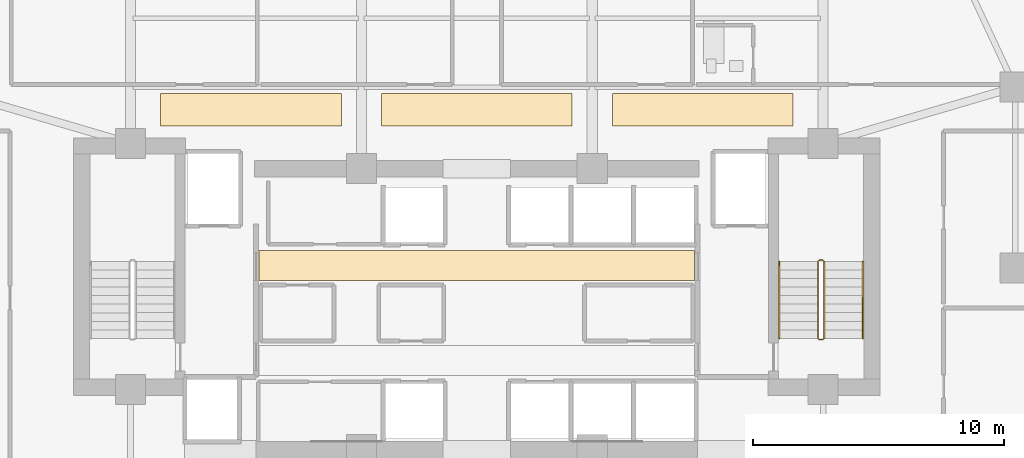
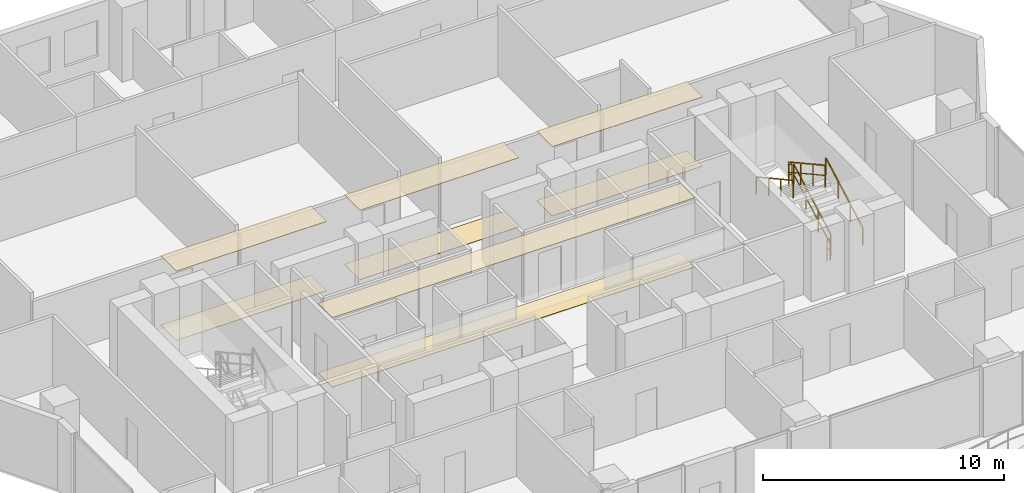
# One storey, part 30 of 32: 8 coverings, 6 railings.
"""IFC4 building model written with IfcOpenShell, lengths in metres."""

from ifc_helpers import new_model, si_unit, direction, frame, origin, origin_2d, place, context, subcontext, project, spatial, polyline, rectangle, outline, extrude, material, layer, layer_set, type_object, element, save


model = new_model("IFC4")

# Units and contexts
model_context = context("Model", 3, precision=1e-05, world=origin(), true_north=direction((0.0, 1.0)))
body_context = subcontext(model_context, "Body", "Model", "MODEL_VIEW")
ifc_project = project(units=[si_unit("LENGTHUNIT", "METRE"), si_unit("AREAUNIT", "SQUARE_METRE"), si_unit("VOLUMEUNIT", "CUBIC_METRE"), si_unit("PLANEANGLEUNIT", "RADIAN"), si_unit("MASSUNIT", "GRAM", prefix="KILO")], contexts=[model_context])

# Site, building, storey
site_placement = place(None, origin())
site = spatial("IfcSite", under=ifc_project, at=site_placement, CompositionType="ELEMENT")
building_placement = place(site_placement, origin())
building = spatial("IfcBuilding", under=site, at=building_placement, Name="Zuhayl Quay Hotel", CompositionType="ELEMENT")
storey_placement = place(building_placement, frame((0.0, 0.0, 181.14990234375)))
storey = spatial("IfcBuildingStorey", under=building, at=storey_placement, Name="L45", CompositionType="ELEMENT", Elevation=181.14990234375)

# Coverings
ifc_material_1 = material(Name="Acoustic Mineral-Fibre Gypsum Board")
ifc_layer_1 = layer(ifc_material_1, 0.02490234375, Name="Acoustic Mineral-Fibre Gypsum Board")
ifc_layer_set_1 = layer_set([ifc_layer_1], Name="Acoustic Mineral-Fibre Gypsum Board")
covering_type_1 = type_object("IfcCoveringType", Name="CV_CEIL_ACOUSTIC", PredefinedType="CEILING", material=ifc_layer_set_1)
covering_1_placement = place(storey_placement, frame((0.0, 0.0, 3.505126953125)))
element("IfcCovering", 1, at=covering_1_placement, inside=storey, type_object=covering_type_1, Name="L45 Suspended Acoustic Lobby Ceiling N", PredefinedType="CEILING", context=body_context, shape_type="SweptSolid", body=[
    extrude(outline(polyline([(-8.679931640625, 8.89990234375), (8.679931640625, 8.89990234375), (8.679931640625, 10.10009765625), (-8.679931640625, 10.10009765625), (-8.679931640625, 8.89990234375)])), origin(), (0.0, 0.0, 1.0), 0.02490234375),
])
covering_2_placement = place(storey_placement, frame((0.0, 0.0, 3.505126953125)))
element("IfcCovering", 2, at=covering_2_placement, inside=storey, type_object=covering_type_1, Name="L45 Guest Corridor Acoustic Ceiling CW", PredefinedType="CEILING", context=body_context, shape_type="SweptSolid", body=[
    extrude(outline(polyline([(-12.60009765625, 15.050048828125), (-5.39990234375, 15.050048828125), (-5.39990234375, 16.35009765625), (-12.60009765625, 16.35009765625), (-12.60009765625, 15.050048828125)])), origin(), (0.0, 0.0, 1.0), 0.02490234375),
])
covering_3_placement = place(storey_placement, frame((0.0, 0.0, 3.505126953125)))
element("IfcCovering", 3, at=covering_3_placement, inside=storey, type_object=covering_type_1, Name="L45 Guest Corridor Acoustic Ceiling CC", PredefinedType="CEILING", context=body_context, shape_type="SweptSolid", body=[
    extrude(outline(polyline([(-3.800048828125, 15.050048828125), (3.800048828125, 15.050048828125), (3.800048828125, 16.35009765625), (-3.800048828125, 16.35009765625), (-3.800048828125, 15.050048828125)])), origin(), (0.0, 0.0, 1.0), 0.02490234375),
])
covering_4_placement = place(storey_placement, frame((0.0, 0.0, 3.505126953125)))
element("IfcCovering", 4, at=covering_4_placement, inside=storey, type_object=covering_type_1, Name="L45 Guest Corridor Acoustic Ceiling CE", PredefinedType="CEILING", context=body_context, shape_type="SweptSolid", body=[
    extrude(outline(polyline([(5.39990234375, 15.050048828125), (12.60009765625, 15.050048828125), (12.60009765625, 16.35009765625), (5.39990234375, 16.35009765625), (5.39990234375, 15.050048828125)])), origin(), (0.0, 0.0, 1.0), 0.02490234375),
])
ifc_material_2 = material(Name="Polished Limestone Terrazzo", Category="masonry")
ifc_layer_2 = layer(ifc_material_2, 0.02001953125, Name="Polished Limestone Terrazzo", Category="masonry")
ifc_layer_set_2 = layer_set([ifc_layer_2], Name="Polished Limestone Terrazzo")
covering_type_2 = type_object("IfcCoveringType", Name="CV_FLOOR_TERRAZZO", PredefinedType="FLOORING", material=ifc_layer_set_2)
covering_5_placement = place(storey_placement, origin())
element("IfcCovering", 5, at=covering_5_placement, inside=storey, type_object=covering_type_2, Name="L45 Honed Limestone Terrazzo Lobby Flooring N", PredefinedType="FLOORING", context=body_context, shape_type="SweptSolid", body=[
    extrude(outline(polyline([(-8.679931640625, 8.89990234375), (8.679931640625, 8.89990234375), (8.679931640625, 10.10009765625), (-8.679931640625, 10.10009765625), (-8.679931640625, 8.89990234375)])), origin(), (0.0, 0.0, 1.0), 0.02001953125),
])
covering_6_placement = place(storey_placement, origin())
element("IfcCovering", 6, at=covering_6_placement, inside=storey, type_object=covering_type_2, Name="L45 Guest Corridor Terrazzo Runner CW", PredefinedType="FLOORING", context=body_context, shape_type="SweptSolid", body=[
    extrude(outline(polyline([(-12.60009765625, 15.050048828125), (-5.39990234375, 15.050048828125), (-5.39990234375, 16.35009765625), (-12.60009765625, 16.35009765625), (-12.60009765625, 15.050048828125)])), origin(), (0.0, 0.0, 1.0), 0.02001953125),
])
covering_7_placement = place(storey_placement, origin())
element("IfcCovering", 7, at=covering_7_placement, inside=storey, type_object=covering_type_2, Name="L45 Guest Corridor Terrazzo Runner CC", PredefinedType="FLOORING", context=body_context, shape_type="SweptSolid", body=[
    extrude(outline(polyline([(-3.800048828125, 15.050048828125), (3.800048828125, 15.050048828125), (3.800048828125, 16.35009765625), (-3.800048828125, 16.35009765625), (-3.800048828125, 15.050048828125)])), origin(), (0.0, 0.0, 1.0), 0.02001953125),
])
covering_8_placement = place(storey_placement, origin())
element("IfcCovering", 8, at=covering_8_placement, inside=storey, type_object=covering_type_2, Name="L45 Guest Corridor Terrazzo Runner CE", PredefinedType="FLOORING", context=body_context, shape_type="SweptSolid", body=[
    extrude(outline(polyline([(5.39990234375, 15.050048828125), (12.60009765625, 15.050048828125), (12.60009765625, 16.35009765625), (5.39990234375, 16.35009765625), (5.39990234375, 15.050048828125)])), origin(), (0.0, 0.0, 1.0), 0.02001953125),
])

# Railings
ifc_material_3 = material(Name="Steel ASTM A992 Grade 50", Category="steel")
railing_type_1 = type_object("IfcRailingType", Name="RL_GUARD_1100", PredefinedType="GUARDRAIL", material=ifc_material_3)
railing_1_placement = place(storey_placement, frame((13.840087890625, 6.590087890625, 0.1875)))
element("IfcRailing", 9, at=railing_1_placement, inside=storey, type_object=railing_type_1, Name="L45 ST2 stair guard 1", PredefinedType="GUARDRAIL", context=body_context, shape_type="SweptSolid", body=[
    extrude(rectangle(XDim=0.048095703125, YDim=0.048095703125, at=origin_2d()), frame((0.0, 0.0, 1.09619140625), z_axis=(0.0, 0.875659195171, 0.482929574485), x_axis=(-1.0, 0.0, 0.0)), (0.0, 0.0, 1.0), 3.494384765625),
    extrude(rectangle(XDim=0.0361328125, YDim=0.0361328125, at=origin_2d()), frame((0.0, 0.0, 0.58251953125), z_axis=(0.0, 0.875659195171, 0.482929574485), x_axis=(-1.0, 0.0, 0.0)), (0.0, 0.0, 1.0), 3.494384765625),
    extrude(rectangle(XDim=0.0419921875, YDim=0.0419921875, at=origin_2d()), origin(), (0.0, 0.0, 1.0), 1.072021484375),
    extrude(rectangle(XDim=0.0419921875, YDim=0.0419921875, at=origin_2d()), frame((0.0, 1.02001953125, 0.5625)), (0.0, 0.0, 1.0), 1.072021484375),
    extrude(rectangle(XDim=0.0419921875, YDim=0.0419921875, at=origin_2d()), frame((0.0, 2.039794921875, 1.125)), (0.0, 0.0, 1.0), 1.072021484375),
    extrude(rectangle(XDim=0.0419921875, YDim=0.0419921875, at=origin_2d()), frame((0.0, 3.059814453125, 1.6875)), (0.0, 0.0, 1.0), 1.072021484375),
])
railing_2_placement = place(storey_placement, frame((13.7900390625, 9.699951171875, 1.875)))
element("IfcRailing", 10, at=railing_2_placement, inside=storey, type_object=railing_type_1, Name="L45 ST2 stair guard 2", PredefinedType="GUARDRAIL", context=body_context, shape_type="SweptSolid", body=[
    extrude(rectangle(XDim=0.048095703125, YDim=0.048095703125, at=origin_2d()), frame((0.0, 0.0, 1.09619140625), z_axis=(-1.0, 0.0, 0.0), x_axis=(0.0, -1.0, 0.0)), (0.0, 0.0, 1.0), 0.150146484375),
    extrude(rectangle(XDim=0.0361328125, YDim=0.0361328125, at=origin_2d()), frame((0.0, 0.0, 0.58251953125), z_axis=(-1.0, 0.0, 0.0), x_axis=(0.0, -1.0, 0.0)), (0.0, 0.0, 1.0), 0.150146484375),
    extrude(rectangle(XDim=0.0419921875, YDim=0.0419921875, at=origin_2d()), origin(), (0.0, 0.0, 1.0), 1.072021484375),
    extrude(rectangle(XDim=0.0419921875, YDim=0.0419921875, at=origin_2d()), frame((-0.150146484375, 0.0, 0.0)), (0.0, 0.0, 1.0), 1.072021484375),
])
railing_3_placement = place(storey_placement, frame((13.590087890625, 9.64990234375, 2.0625)))
element("IfcRailing", 11, at=railing_3_placement, inside=storey, type_object=railing_type_1, Name="L45 ST2 stair guard 3", PredefinedType="GUARDRAIL", context=body_context, shape_type="SweptSolid", body=[
    extrude(rectangle(XDim=0.048095703125, YDim=0.048095703125, at=origin_2d()), frame((0.0, 0.0, 1.09619140625), z_axis=(0.0, -0.875659195171, 0.482929574485), x_axis=(1.0, 0.0, 0.0)), (0.0, 0.0, 1.0), 3.494384765625),
    extrude(rectangle(XDim=0.0361328125, YDim=0.0361328125, at=origin_2d()), frame((0.0, 0.0, 0.58251953125), z_axis=(0.0, -0.875659195171, 0.482929574485), x_axis=(1.0, 0.0, 0.0)), (0.0, 0.0, 1.0), 3.494384765625),
    extrude(rectangle(XDim=0.0419921875, YDim=0.0419921875, at=origin_2d()), origin(), (0.0, 0.0, 1.0), 1.072021484375),
    extrude(rectangle(XDim=0.0419921875, YDim=0.0419921875, at=origin_2d()), frame((0.0, -1.02001953125, 0.5625)), (0.0, 0.0, 1.0), 1.072021484375),
    extrude(rectangle(XDim=0.0419921875, YDim=0.0419921875, at=origin_2d()), frame((0.0, -2.039794921875, 1.125)), (0.0, 0.0, 1.0), 1.072021484375),
    extrude(rectangle(XDim=0.0419921875, YDim=0.0419921875, at=origin_2d()), frame((0.0, -3.059814453125, 1.6875)), (0.0, 0.0, 1.0), 1.072021484375),
])
railing_4_placement = place(storey_placement, frame((13.7900390625, 6.5400390625, 0.0)))
element("IfcRailing", 12, at=railing_4_placement, inside=storey, type_object=railing_type_1, Name="L45 ST2 stair guard 4", PredefinedType="GUARDRAIL", context=body_context, shape_type="SweptSolid", body=[
    extrude(rectangle(XDim=0.048095703125, YDim=0.048095703125, at=origin_2d()), frame((0.0, 0.0, 1.09619140625), z_axis=(-1.0, 0.0, 0.0), x_axis=(0.0, -1.0, 0.0)), (0.0, 0.0, 1.0), 0.150146484375),
    extrude(rectangle(XDim=0.0361328125, YDim=0.0361328125, at=origin_2d()), frame((0.0, 0.0, 0.58251953125), z_axis=(-1.0, 0.0, 0.0), x_axis=(0.0, -1.0, 0.0)), (0.0, 0.0, 1.0), 0.150146484375),
    extrude(rectangle(XDim=0.0419921875, YDim=0.0419921875, at=origin_2d()), origin(), (0.0, 0.0, 1.0), 1.072021484375),
    extrude(rectangle(XDim=0.0419921875, YDim=0.0419921875, at=origin_2d()), frame((-0.150146484375, 0.0, 0.0)), (0.0, 0.0, 1.0), 1.072021484375),
])
railing_type_2 = type_object("IfcRailingType", Name="RL_HANDRAIL_920", PredefinedType="HANDRAIL", material=ifc_material_3)
railing_5_placement = place(storey_placement, frame((15.3798828125, 6.590087890625, 0.1875)))
element("IfcRailing", 13, at=railing_5_placement, inside=storey, type_object=railing_type_2, Name="L45 ST2 stair handrail 1", PredefinedType="HANDRAIL", context=body_context, shape_type="SweptSolid", body=[
    extrude(rectangle(XDim=0.048095703125, YDim=0.048095703125, at=origin_2d()), frame((0.0, 0.0, 0.8759765625), z_axis=(0.0, 0.875659195171, 0.482929574485), x_axis=(-1.0, 0.0, 0.0)), (0.0, 0.0, 1.0), 3.494384765625),
    extrude(rectangle(XDim=0.0419921875, YDim=0.0419921875, at=origin_2d()), origin(), (0.0, 0.0, 1.0), 0.851806640625),
    extrude(rectangle(XDim=0.0419921875, YDim=0.0419921875, at=origin_2d()), frame((0.0, 1.02001953125, 0.5625)), (0.0, 0.0, 1.0), 0.851806640625),
    extrude(rectangle(XDim=0.0419921875, YDim=0.0419921875, at=origin_2d()), frame((0.0, 2.039794921875, 1.125)), (0.0, 0.0, 1.0), 0.851806640625),
    extrude(rectangle(XDim=0.0419921875, YDim=0.0419921875, at=origin_2d()), frame((0.0, 3.059814453125, 1.6875)), (0.0, 0.0, 1.0), 0.851806640625),
])
railing_6_placement = place(storey_placement, frame((12.050048828125, 9.64990234375, 2.0625)))
element("IfcRailing", 14, at=railing_6_placement, inside=storey, type_object=railing_type_2, Name="L45 ST2 stair handrail 2", PredefinedType="HANDRAIL", context=body_context, shape_type="SweptSolid", body=[
    extrude(rectangle(XDim=0.048095703125, YDim=0.048095703125, at=origin_2d()), frame((0.0, 0.0, 0.8759765625), z_axis=(0.0, -0.875659195171, 0.482929574485), x_axis=(1.0, 0.0, 0.0)), (0.0, 0.0, 1.0), 3.494384765625),
    extrude(rectangle(XDim=0.0419921875, YDim=0.0419921875, at=origin_2d()), origin(), (0.0, 0.0, 1.0), 0.851806640625),
    extrude(rectangle(XDim=0.0419921875, YDim=0.0419921875, at=origin_2d()), frame((0.0, -1.02001953125, 0.5625)), (0.0, 0.0, 1.0), 0.851806640625),
    extrude(rectangle(XDim=0.0419921875, YDim=0.0419921875, at=origin_2d()), frame((0.0, -2.039794921875, 1.125)), (0.0, 0.0, 1.0), 0.851806640625),
    extrude(rectangle(XDim=0.0419921875, YDim=0.0419921875, at=origin_2d()), frame((0.0, -3.059814453125, 1.6875)), (0.0, 0.0, 1.0), 0.851806640625),
])

save(model, "model.ifc")
